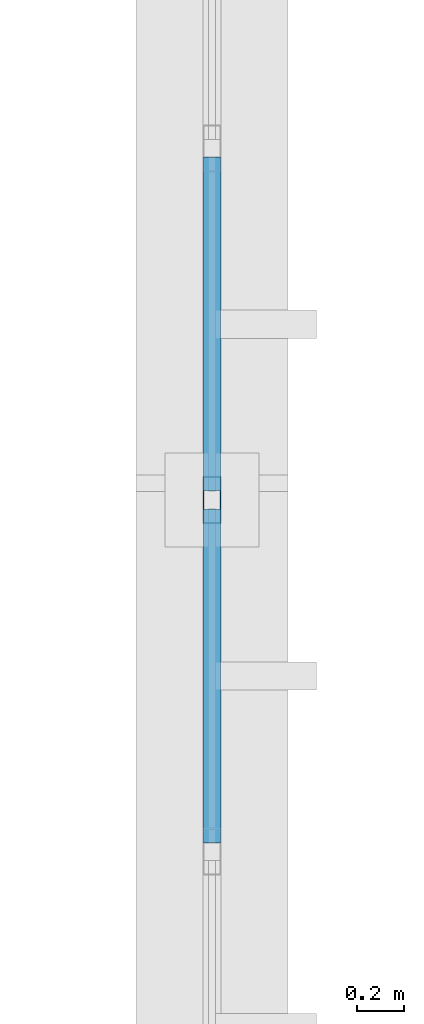
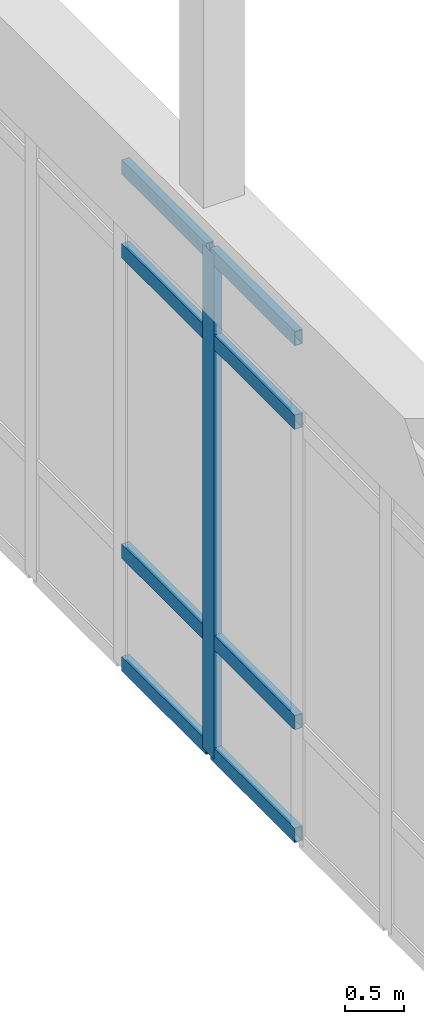
# One storey, part 142 of 236: 9 members, 1 element without a shape of its own.
"""IFC4 building model written with IfcOpenShell, lengths in metres."""

from ifc_helpers import new_model, si_unit, direction, frame, origin, origin_2d, place, context, subcontext, project, spatial, hollow_rectangle, extrude, material, layer, layer_set, material_profile, profile_set, type_object, element, aggregate, save


model = new_model("IFC4")

# Units and contexts
model_context = context("Model", 3, precision=1e-05, world=origin(), true_north=direction((0.0, 1.0)))
body_context = subcontext(model_context, "Body", "Model", "MODEL_VIEW")
ifc_project = project(units=[si_unit("LENGTHUNIT", "METRE"), si_unit("AREAUNIT", "SQUARE_METRE"), si_unit("VOLUMEUNIT", "CUBIC_METRE"), si_unit("PLANEANGLEUNIT", "RADIAN"), si_unit("MASSUNIT", "GRAM", prefix="KILO")], contexts=[model_context])

# Site, building, storey
site_placement = place(None, origin())
site = spatial("IfcSite", under=ifc_project, at=site_placement, CompositionType="ELEMENT")
building_placement = place(site_placement, origin())
building = spatial("IfcBuilding", under=site, at=building_placement, Name="Pandanus Reach Market Hall", CompositionType="ELEMENT")
storey_placement = place(building_placement, frame((0.0, 0.0, 5.39990234375)))
storey = spatial("IfcBuildingStorey", under=building, at=storey_placement, Name="L01", CompositionType="ELEMENT", Elevation=5.39990234375)

# Curtain wall, members
ifc_material_1 = material(Name="Bronze anodised aluminium and low-E glass", Category="aluminium")
ifc_layer = layer(ifc_material_1, 0.199951171875, Name="CW-05")
ifc_layer_set = layer_set([ifc_layer], Name="Bronze anodised aluminium and low-E glass")
curtain_wall_type = type_object("IfcCurtainWallType", Name="CW-05", PredefinedType="NOTDEFINED", material=ifc_layer_set)
curtain_wall_placement = place(storey_placement, origin())
curtain_wall = element("IfcCurtainWall", 1, at=curtain_wall_placement, inside=storey, type_object=curtain_wall_type, Name="Glazed curtain wall CW-05 CW-0031", PredefinedType="NOTDEFINED")
ifc_material_2 = material(Name="Bronze anodised aluminium", Category="aluminium")
ifc_material_profile_1 = material_profile(ifc_material_2, hollow_rectangle(XDim=0.074951171875, YDim=0.199951171875, WallThickness=0.00439453125, at=origin_2d()), Name="ALU75x200", Category="LoadBearing")
ifc_profile_set_1 = profile_set([ifc_material_profile_1], Name="Bronze anodised aluminium")
member_type_1 = type_object("IfcMemberType", Name="CW-M2", PredefinedType="MULLION", material=ifc_profile_set_1)
member_1_placement = place(storey_placement, frame((132.0, 62.39990234375, 0.0), z_axis=(0.0, 0.0, 1.0), x_axis=(-1.0, 0.0, 0.0)))
member_1 = element("IfcMember", 2, at=member_1_placement, type_object=member_type_1, Name="CW-05 mullion 4", PredefinedType="MULLION", context=body_context, shape_type="SweptSolid", body=[
    extrude(hollow_rectangle(XDim=0.074951171875, YDim=0.199951171875, WallThickness=0.00439453125, at=origin_2d()), origin(), (0.0, 0.0, 1.0), 5.2001953125),
])
ifc_material_profile_2 = material_profile(ifc_material_2, hollow_rectangle(XDim=0.074951171875, YDim=0.14990234375, WallThickness=0.00439453125, at=origin_2d()), Name="ALU75x150", Category="LoadBearing")
ifc_profile_set_2 = profile_set([ifc_material_profile_2], Name="Bronze anodised aluminium")
member_type_2 = type_object("IfcMemberType", Name="CW-T2", PredefinedType="USERDEFINED", material=ifc_profile_set_2)
member_2_placement = place(storey_placement, frame((132.0, 60.9375, 0.03759765625), z_axis=(0.0, 1.0, 0.0), x_axis=(-1.0, 0.0, 0.0)))
member_2 = element("IfcMember", 3, at=member_2_placement, type_object=member_type_2, Name="CW-05 transom 3.1", ObjectType="TRANSOM", PredefinedType="USERDEFINED", context=body_context, shape_type="SweptSolid", body=[
    extrude(hollow_rectangle(XDim=0.074951171875, YDim=0.14990234375, WallThickness=0.00439453125, at=origin_2d()), origin(), (0.0, 0.0, 1.0), 1.425048828125),
])
member_3_placement = place(storey_placement, frame((132.0, 60.9375, 1.2001953125), z_axis=(0.0, 1.0, 0.0), x_axis=(-1.0, 0.0, 0.0)))
member_3 = element("IfcMember", 4, at=member_3_placement, type_object=member_type_2, Name="CW-05 transom 3.2", ObjectType="TRANSOM", PredefinedType="USERDEFINED", context=body_context, shape_type="SweptSolid", body=[
    extrude(hollow_rectangle(XDim=0.074951171875, YDim=0.14990234375, WallThickness=0.00439453125, at=origin_2d()), origin(), (0.0, 0.0, 1.0), 1.425048828125),
])
member_4_placement = place(storey_placement, frame((132.0, 60.9375, 4.300048828125), z_axis=(0.0, 1.0, 0.0), x_axis=(-1.0, 0.0, 0.0)))
member_4 = element("IfcMember", 5, at=member_4_placement, type_object=member_type_2, Name="CW-05 transom 3.3", ObjectType="TRANSOM", PredefinedType="USERDEFINED", context=body_context, shape_type="SweptSolid", body=[
    extrude(hollow_rectangle(XDim=0.074951171875, YDim=0.14990234375, WallThickness=0.00439453125, at=origin_2d()), origin(), (0.0, 0.0, 1.0), 1.425048828125),
])
member_5_placement = place(storey_placement, frame((132.0, 60.9375, 5.16259765625), z_axis=(0.0, 1.0, 0.0), x_axis=(-1.0, 0.0, 0.0)))
member_5 = element("IfcMember", 6, at=member_5_placement, type_object=member_type_2, Name="CW-05 transom 3.4", ObjectType="TRANSOM", PredefinedType="USERDEFINED", context=body_context, shape_type="SweptSolid", body=[
    extrude(hollow_rectangle(XDim=0.074951171875, YDim=0.14990234375, WallThickness=0.00439453125, at=origin_2d()), origin(), (0.0, 0.0, 1.0), 1.425048828125),
])
member_6_placement = place(storey_placement, frame((132.0, 62.4375, 0.03759765625), z_axis=(0.0, 1.0, 0.0), x_axis=(-1.0, 0.0, 0.0)))
member_6 = element("IfcMember", 7, at=member_6_placement, type_object=member_type_2, Name="CW-05 transom 4.1", ObjectType="TRANSOM", PredefinedType="USERDEFINED", context=body_context, shape_type="SweptSolid", body=[
    extrude(hollow_rectangle(XDim=0.074951171875, YDim=0.14990234375, WallThickness=0.00439453125, at=origin_2d()), origin(), (0.0, 0.0, 1.0), 1.425048828125),
])
member_7_placement = place(storey_placement, frame((132.0, 62.4375, 1.2001953125), z_axis=(0.0, 1.0, 0.0), x_axis=(-1.0, 0.0, 0.0)))
member_7 = element("IfcMember", 8, at=member_7_placement, type_object=member_type_2, Name="CW-05 transom 4.2", ObjectType="TRANSOM", PredefinedType="USERDEFINED", context=body_context, shape_type="SweptSolid", body=[
    extrude(hollow_rectangle(XDim=0.074951171875, YDim=0.14990234375, WallThickness=0.00439453125, at=origin_2d()), origin(), (0.0, 0.0, 1.0), 1.425048828125),
])
member_8_placement = place(storey_placement, frame((132.0, 62.4375, 4.300048828125), z_axis=(0.0, 1.0, 0.0), x_axis=(-1.0, 0.0, 0.0)))
member_8 = element("IfcMember", 9, at=member_8_placement, type_object=member_type_2, Name="CW-05 transom 4.3", ObjectType="TRANSOM", PredefinedType="USERDEFINED", context=body_context, shape_type="SweptSolid", body=[
    extrude(hollow_rectangle(XDim=0.074951171875, YDim=0.14990234375, WallThickness=0.00439453125, at=origin_2d()), origin(), (0.0, 0.0, 1.0), 1.425048828125),
])
member_9_placement = place(storey_placement, frame((132.0, 62.4375, 5.16259765625), z_axis=(0.0, 1.0, 0.0), x_axis=(-1.0, 0.0, 0.0)))
member_9 = element("IfcMember", 10, at=member_9_placement, type_object=member_type_2, Name="CW-05 transom 4.4", ObjectType="TRANSOM", PredefinedType="USERDEFINED", context=body_context, shape_type="SweptSolid", body=[
    extrude(hollow_rectangle(XDim=0.074951171875, YDim=0.14990234375, WallThickness=0.00439453125, at=origin_2d()), origin(), (0.0, 0.0, 1.0), 1.425048828125),
])
aggregate(curtain_wall, [member_1, member_2, member_3, member_4, member_5, member_6, member_7, member_8, member_9])

save(model, "model.ifc")
